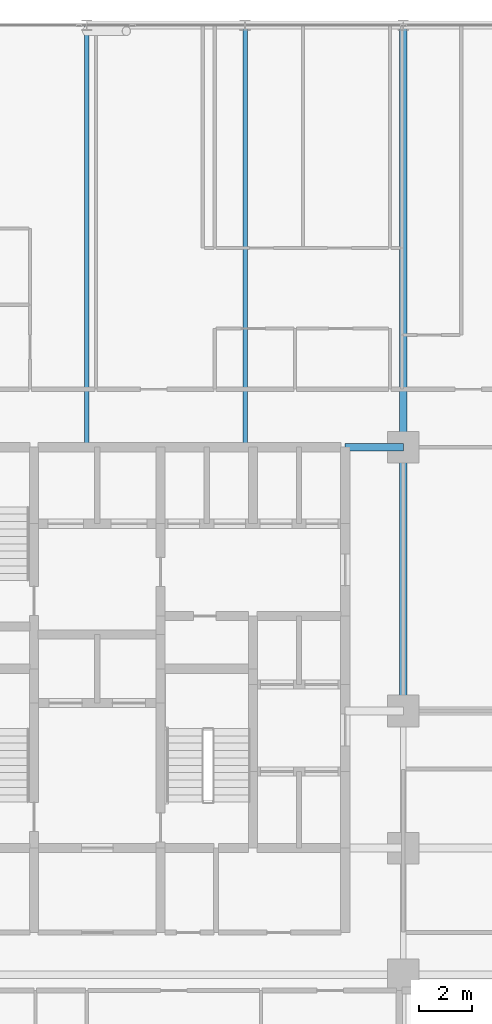
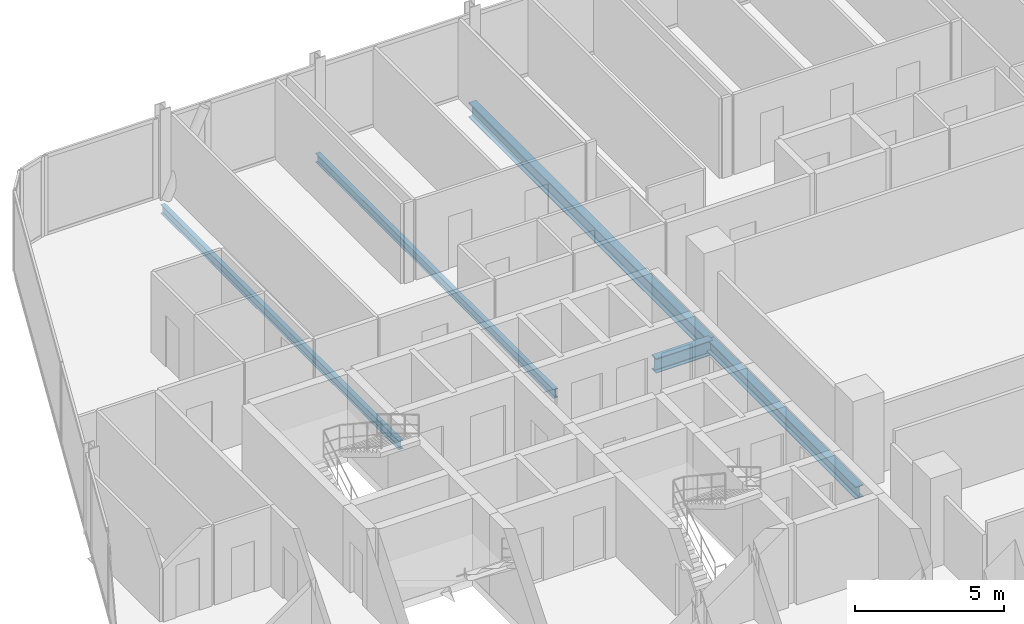
# One storey, part 13 of 33: 5 beams.
"""IFC4 building model written with IfcOpenShell, lengths in metres."""

from ifc_helpers import new_model, si_unit, direction, frame, origin, origin_2d, place, context, subcontext, project, spatial, i_section, extrude, material, material_profile, profile_set, type_object, element, save


model = new_model("IFC4")

# Units and contexts
model_context = context("Model", 3, precision=1e-05, world=origin(), true_north=direction((0.0, 1.0)))
body_context = subcontext(model_context, "Body", "Model", "MODEL_VIEW")
ifc_project = project(units=[si_unit("LENGTHUNIT", "METRE"), si_unit("AREAUNIT", "SQUARE_METRE"), si_unit("VOLUMEUNIT", "CUBIC_METRE"), si_unit("PLANEANGLEUNIT", "RADIAN"), si_unit("MASSUNIT", "GRAM", prefix="KILO")], contexts=[model_context])

# Site, building, storey
site_placement = place(None, origin())
site = spatial("IfcSite", under=ifc_project, at=site_placement, CompositionType="ELEMENT")
building_placement = place(site_placement, origin())
building = spatial("IfcBuilding", under=site, at=building_placement, Name="Keshet Zoharim Tower", CompositionType="ELEMENT")
storey_placement = place(building_placement, frame((0.0, 0.0, 57.300048828125)))
storey = spatial("IfcBuildingStorey", under=building, at=storey_placement, Name="L13", CompositionType="ELEMENT", Elevation=57.300048828125)

# Beams
ifc_material = material(Name="Steel S355", Category="steel")
ifc_material_profile_1 = material_profile(ifc_material, i_section(OverallWidth=0.300048828125, OverallDepth=0.60009765625, WebThickness=0.015380859375, FlangeThickness=0.030029296875, FilletRadius=0.027099609375, at=origin_2d()), Name="HEB600")
ifc_profile_set_1 = profile_set([ifc_material_profile_1], Name="Steel S355")
beam_type_1 = type_object("IfcBeamType", Name="BM-CLK-HB600", PredefinedType="BEAM", material=ifc_profile_set_1)
beam_1_placement = place(storey_placement, frame((30.800048828125, 37.89990234375, -0.614990234375), z_axis=(1.0, 0.0, 0.0), x_axis=(0.0, 1.0, 0.0)))
element("IfcBeam", 1, at=beam_1_placement, inside=storey, type_object=beam_type_1, Name="L13 Core Wall Link Girder 03", PredefinedType="BEAM", context=body_context, shape_type="SweptSolid", body=[
    extrude(i_section(OverallWidth=0.300048828125, OverallDepth=0.60009765625, WebThickness=0.015380859375, FlangeThickness=0.030029296875, FilletRadius=0.027099609375, at=origin_2d()), origin(), (0.0, 0.0, 1.0), 2.199951171875),
])
ifc_material_profile_2 = material_profile(ifc_material, i_section(OverallWidth=0.169921875, OverallDepth=0.360107421875, WebThickness=0.008056640625, FlangeThickness=0.0126953125, FilletRadius=0.01806640625, at=origin_2d()), Name="IPE360")
ifc_profile_set_2 = profile_set([ifc_material_profile_2], Name="Steel S355")
beam_type_2 = type_object("IfcBeamType", Name="BM-JST-IP360", PredefinedType="JOIST", material=ifc_profile_set_2)
for number, where, z_axis, x_axis, name in (
    (2, (21.0, 37.89990234375, -0.4951171875), (0.0, 1.0, 0.0), (-1.0, 0.0, 0.0), "L13 Secondary Floor Joist J-001"),
    (3, (27.0, 37.89990234375, -0.4951171875), (0.0, 1.0, 0.0), (-1.0, 0.0, 0.0), "L13 Secondary Floor Joist J-002"),
):
    element("IfcBeam", number, at=place(storey_placement, frame(where, z_axis=z_axis, x_axis=x_axis)), inside=storey, type_object=beam_type_2, Name=name, PredefinedType="JOIST", context=body_context, shape_type="SweptSolid", body=[
        extrude(i_section(OverallWidth=0.169921875, OverallDepth=0.360107421875, WebThickness=0.008056640625, FlangeThickness=0.0126953125, FilletRadius=0.01806640625, at=origin_2d()), origin(), (0.0, 0.0, 1.0), 16.0),
    ])
ifc_material_profile_3 = material_profile(ifc_material, i_section(OverallWidth=0.300048828125, OverallDepth=0.60009765625, WebThickness=0.015380859375, FlangeThickness=0.030029296875, FilletRadius=0.027099609375, at=origin_2d()), Name="HEB600")
ifc_profile_set_3 = profile_set([ifc_material_profile_3], Name="Steel S355")
beam_type_3 = type_object("IfcBeamType", Name="BM-LNG-HB600", PredefinedType="BEAM", material=ifc_profile_set_3)
beam_2_placement = place(storey_placement, frame((33.0, 37.89990234375, -0.614990234375), z_axis=(0.0, 1.0, 0.0), x_axis=(-1.0, 0.0, 0.0)))
element("IfcBeam", 4, at=beam_2_placement, inside=storey, type_object=beam_type_3, Name="L13 Primary Girder Y-011", PredefinedType="BEAM", context=body_context, shape_type="SweptSolid", body=[
    extrude(i_section(OverallWidth=0.300048828125, OverallDepth=0.60009765625, WebThickness=0.015380859375, FlangeThickness=0.030029296875, FilletRadius=0.027099609375, at=origin_2d()), origin(), (0.0, 0.0, 1.0), 16.0),
])
ifc_material_profile_4 = material_profile(ifc_material, i_section(OverallWidth=0.300048828125, OverallDepth=0.5, WebThickness=0.014404296875, FlangeThickness=0.028076171875, FilletRadius=0.027099609375, at=origin_2d()), Name="HEB500")
ifc_profile_set_4 = profile_set([ifc_material_profile_4], Name="Steel S355")
beam_type_4 = type_object("IfcBeamType", Name="BM-MED-HB500", PredefinedType="BEAM", material=ifc_profile_set_4)
beam_3_placement = place(storey_placement, frame((33.0, 27.89990234375, -0.56494140625), z_axis=(0.0, 1.0, 0.0), x_axis=(-1.0, 0.0, 0.0)))
element("IfcBeam", 5, at=beam_3_placement, inside=storey, type_object=beam_type_4, Name="L13 Primary Girder Y-010", PredefinedType="BEAM", context=body_context, shape_type="SweptSolid", body=[
    extrude(i_section(OverallWidth=0.300048828125, OverallDepth=0.5, WebThickness=0.014404296875, FlangeThickness=0.028076171875, FilletRadius=0.027099609375, at=origin_2d()), origin(), (0.0, 0.0, 1.0), 10.0),
])

save(model, "model.ifc")
